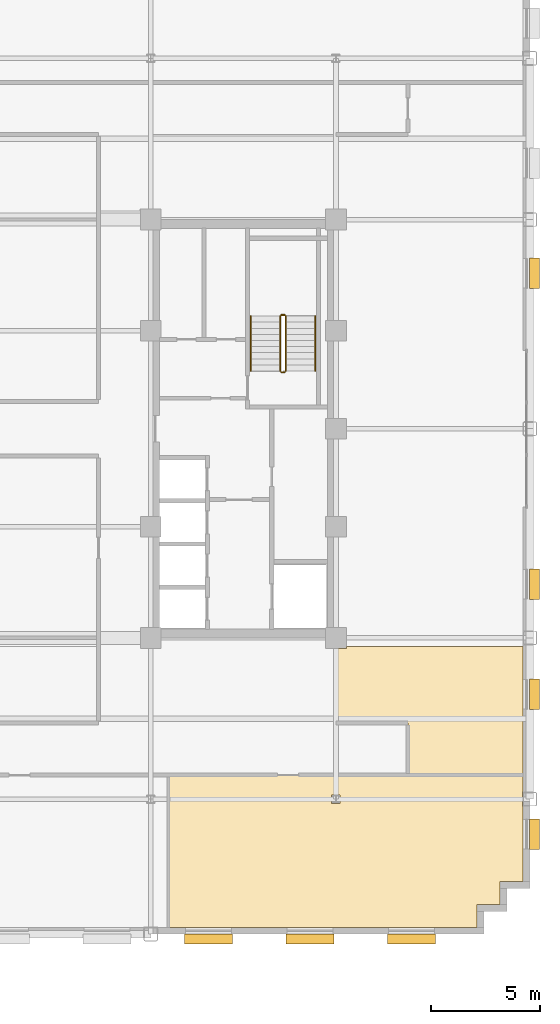
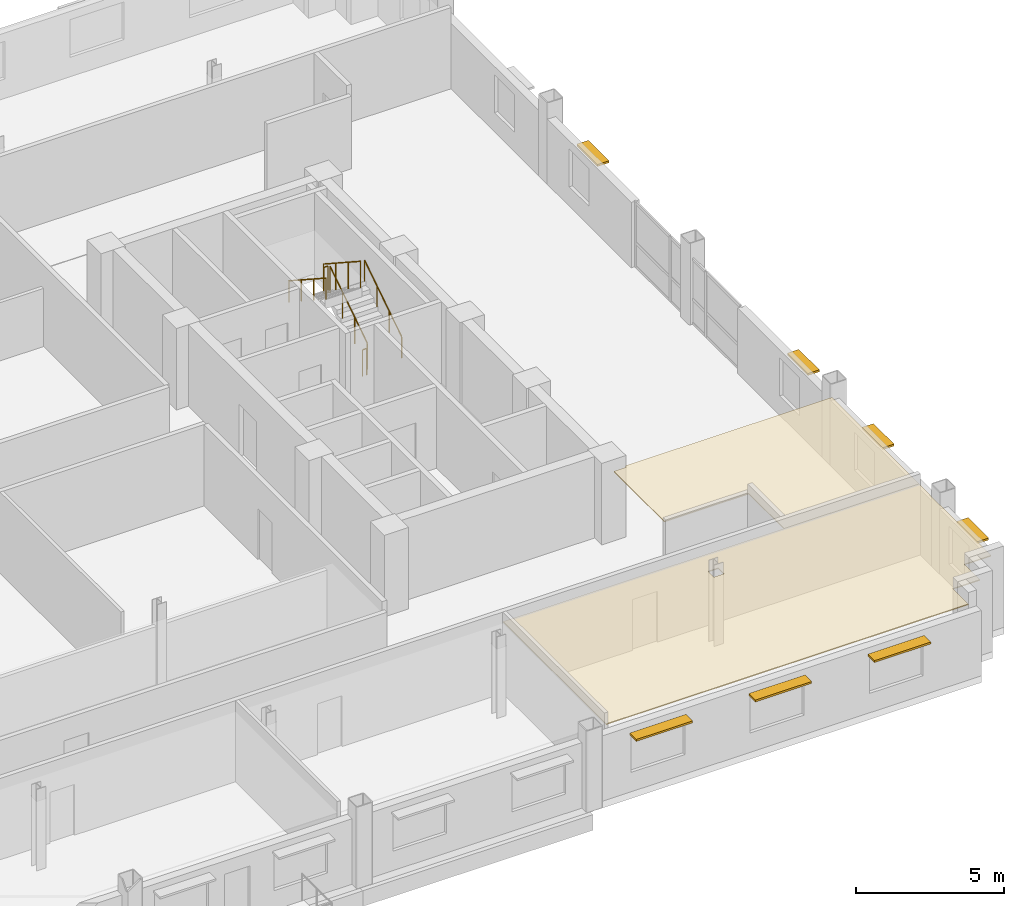
# One storey, part 14 of 15: 7 shading devices, 6 railings, 2 coverings.
"""IFC4 building model written with IfcOpenShell, lengths in metres."""

from ifc_helpers import new_model, si_unit, direction, frame, origin, origin_2d, place, context, subcontext, project, spatial, polyline, rectangle, circle, outline, extrude, source, transform, mapped, material, layer, layer_set, type_object, type_shapes, element, save


model = new_model("IFC4")

# Units and contexts
model_context = context("Model", 3, precision=1e-05, world=origin(), true_north=direction((0.0, 1.0)))
body_context = subcontext(model_context, "Body", "Model", "MODEL_VIEW")
ifc_project = project(units=[si_unit("LENGTHUNIT", "METRE"), si_unit("AREAUNIT", "SQUARE_METRE"), si_unit("VOLUMEUNIT", "CUBIC_METRE"), si_unit("PLANEANGLEUNIT", "RADIAN"), si_unit("MASSUNIT", "GRAM", prefix="KILO")], contexts=[model_context])

# Site, building, storey
site_placement = place(None, origin())
site = spatial("IfcSite", under=ifc_project, at=site_placement, CompositionType="ELEMENT")
building_placement = place(site_placement, origin())
building = spatial("IfcBuilding", under=site, at=building_placement, Name="Nuvemarco Arch Tower", CompositionType="ELEMENT")
storey_placement = place(building_placement, frame((0.0, 0.0, 123.85009765625)))
storey = spatial("IfcBuildingStorey", under=building, at=storey_placement, Name="L32", CompositionType="ELEMENT", Elevation=123.85009765625)

# Coverings
ifc_material_1 = material(Name="Mineral acoustic ceiling tile")
ifc_layer = layer(ifc_material_1, 0.0400390625, Name="COV-ACOUSTIC-CLG")
ifc_layer_set = layer_set([ifc_layer], Name="Mineral acoustic ceiling tile")
covering_type = type_object("IfcCoveringType", Name="COV-ACOUSTIC-CLG", PredefinedType="CEILING", material=ifc_layer_set)
covering_1_placement = place(storey_placement, frame((0.0, 0.0, 2.849853515625)))
element("IfcCovering", 1, at=covering_1_placement, inside=storey, type_object=covering_type, Name="L32 suspended acoustic ceiling 2", PredefinedType="CEILING", context=body_context, shape_type="SweptSolid", body=[
    extrude(outline(polyline([(17.5, -10.090087890625), (17.989990234375, -10.090087890625), (17.989990234375, -10.0), (26.080078125, -10.0), (26.080078125, -15.89990234375), (20.800048828125, -15.89990234375), (20.800048828125, -13.5), (17.5, -13.5), (17.5, -10.090087890625)])), origin(), (0.0, 0.0, 1.0), 0.0400390625),
])
covering_2_placement = place(storey_placement, frame((0.0, 0.0, 2.849853515625)))
element("IfcCovering", 2, at=covering_2_placement, inside=storey, type_object=covering_type, Name="L32 suspended acoustic ceiling 4", PredefinedType="CEILING", context=body_context, shape_type="SweptSolid", body=[
    extrude(outline(polyline([(23.97998046875, -22.8798828125), (9.81005859375, -22.8798828125), (9.81005859375, -15.89990234375), (20.800048828125, -15.89990234375), (26.080078125, -15.89990234375), (26.080078125, -16.659912109375), (26.06005859375, -16.659912109375), (26.06005859375, -17.340087890625), (26.080078125, -17.340087890625), (26.080078125, -20.780029296875), (25.030029296875, -20.780029296875), (25.030029296875, -21.830078125), (23.97998046875, -21.830078125), (23.97998046875, -22.8798828125)]), holes=[polyline([(17.695068359375, -17.195068359375), (17.695068359375, -16.804931640625), (17.304931640625, -16.804931640625), (17.304931640625, -17.195068359375), (17.695068359375, -17.195068359375)])]), origin(), (0.0, 0.0, 1.0), 0.0400390625),
])

# Railings
ifc_material_2 = material(Name="Brushed stainless steel handrail", Category="steel")
railing_type_1 = type_object("IfcRailingType", Name="RL-HANDRAIL-900", PredefinedType="HANDRAIL", material=ifc_material_2)
railing_1_placement = place(storey_placement, frame((16.550048828125, 2.64990234375, 0.182373046875)))
element("IfcRailing", 3, at=railing_1_placement, inside=storey, type_object=railing_type_1, Name="L32 ST-2 stair handrail 1", PredefinedType="HANDRAIL", context=body_context, shape_type="SweptSolid", body=[
    extrude(circle(Radius=0.02392578125, at=origin_2d()), frame((0.0, 0.0, 0.8759765625), z_axis=(0.0, 0.837749427056, 0.546054848405), x_axis=(-1.0, 0.0, 0.0)), (0.0, 0.0, 1.0), 3.008056640625),
    extrude(circle(Radius=0.02099609375, at=origin_2d()), origin(), (0.0, 0.0, 1.0), 0.851806640625),
    extrude(circle(Radius=0.02099609375, at=origin_2d()), frame((0.0, 0.840087890625, 0.547607421875)), (0.0, 0.0, 1.0), 0.851806640625),
    extrude(circle(Radius=0.02099609375, at=origin_2d()), frame((0.0, 1.679931640625, 1.094970703125)), (0.0, 0.0, 1.0), 0.851806640625),
    extrude(circle(Radius=0.02099609375, at=origin_2d()), frame((0.0, 2.52001953125, 1.642578125)), (0.0, 0.0, 1.0), 0.851806640625),
])
railing_2_placement = place(storey_placement, frame((13.590087890625, 5.169921875, 2.00732421875)))
element("IfcRailing", 4, at=railing_2_placement, inside=storey, type_object=railing_type_1, Name="L32 ST-2 stair handrail 2", PredefinedType="HANDRAIL", context=body_context, shape_type="SweptSolid", body=[
    extrude(circle(Radius=0.02392578125, at=origin_2d()), frame((0.0, 0.0, 0.8759765625), z_axis=(0.0, -0.837749427056, 0.546054848405), x_axis=(1.0, 0.0, 0.0)), (0.0, 0.0, 1.0), 3.008056640625),
    extrude(circle(Radius=0.02099609375, at=origin_2d()), origin(), (0.0, 0.0, 1.0), 0.851806640625),
    extrude(circle(Radius=0.02099609375, at=origin_2d()), frame((0.0, -0.840087890625, 0.547607421875)), (0.0, 0.0, 1.0), 0.851806640625),
    extrude(circle(Radius=0.02099609375, at=origin_2d()), frame((0.0, -1.679931640625, 1.094970703125)), (0.0, 0.0, 1.0), 0.851806640625),
    extrude(circle(Radius=0.02099609375, at=origin_2d()), frame((0.0, -2.52001953125, 1.642578125)), (0.0, 0.0, 1.0), 0.851806640625),
])
ifc_material_3 = material(Name="Painted balustrade steel S355", Category="steel")
railing_type_2 = type_object("IfcRailingType", Name="RL-STAIR-GUARD", PredefinedType="GUARDRAIL", material=ifc_material_3)
railing_3_placement = place(storey_placement, frame((15.199951171875, 2.64990234375, 0.182373046875)))
element("IfcRailing", 5, at=railing_3_placement, inside=storey, type_object=railing_type_2, Name="L32 ST-2 stair guard 1", PredefinedType="GUARDRAIL", context=body_context, shape_type="SweptSolid", body=[
    extrude(circle(Radius=0.02392578125, at=origin_2d()), frame((0.0, 0.0, 1.09619140625), z_axis=(0.0, 0.837749427056, 0.546054848405), x_axis=(-1.0, 0.0, 0.0)), (0.0, 0.0, 1.0), 3.008056640625),
    extrude(circle(Radius=0.02099609375, at=origin_2d()), origin(), (0.0, 0.0, 1.0), 1.072021484375),
    extrude(circle(Radius=0.02099609375, at=origin_2d()), frame((0.0, 0.840087890625, 0.547607421875)), (0.0, 0.0, 1.0), 1.072021484375),
    extrude(circle(Radius=0.02099609375, at=origin_2d()), frame((0.0, 1.679931640625, 1.094970703125)), (0.0, 0.0, 1.0), 1.072021484375),
    extrude(circle(Radius=0.02099609375, at=origin_2d()), frame((0.0, 2.52001953125, 1.642578125)), (0.0, 0.0, 1.0), 1.072021484375),
])
railing_4_placement = place(storey_placement, frame((15.14990234375, 5.219970703125, 1.824951171875)))
element("IfcRailing", 6, at=railing_4_placement, inside=storey, type_object=railing_type_2, Name="L32 ST-2 stair guard 2", PredefinedType="GUARDRAIL", context=body_context, shape_type="SweptSolid", body=[
    extrude(circle(Radius=0.02392578125, at=origin_2d()), frame((0.0, 0.0, 1.09619140625), z_axis=(-1.0, 0.0, 0.0), x_axis=(0.0, -1.0, 0.0)), (0.0, 0.0, 1.0), 0.159912109375),
    extrude(circle(Radius=0.02099609375, at=origin_2d()), origin(), (0.0, 0.0, 1.0), 1.072021484375),
    extrude(circle(Radius=0.02099609375, at=origin_2d()), frame((-0.159912109375, 0.0, 0.0)), (0.0, 0.0, 1.0), 1.072021484375),
])
railing_5_placement = place(storey_placement, frame((14.93994140625, 5.169921875, 2.00732421875)))
element("IfcRailing", 7, at=railing_5_placement, inside=storey, type_object=railing_type_2, Name="L32 ST-2 stair guard 3", PredefinedType="GUARDRAIL", context=body_context, shape_type="SweptSolid", body=[
    extrude(circle(Radius=0.02392578125, at=origin_2d()), frame((0.0, 0.0, 1.09619140625), z_axis=(0.0, -0.837749427056, 0.546054848405), x_axis=(1.0, 0.0, 0.0)), (0.0, 0.0, 1.0), 3.008056640625),
    extrude(circle(Radius=0.02099609375, at=origin_2d()), origin(), (0.0, 0.0, 1.0), 1.072021484375),
    extrude(circle(Radius=0.02099609375, at=origin_2d()), frame((0.0, -0.840087890625, 0.547607421875)), (0.0, 0.0, 1.0), 1.072021484375),
    extrude(circle(Radius=0.02099609375, at=origin_2d()), frame((0.0, -1.679931640625, 1.094970703125)), (0.0, 0.0, 1.0), 1.072021484375),
    extrude(circle(Radius=0.02099609375, at=origin_2d()), frame((0.0, -2.52001953125, 1.642578125)), (0.0, 0.0, 1.0), 1.072021484375),
])
railing_6_placement = place(storey_placement, frame((15.14990234375, 2.60009765625, 0.0)))
element("IfcRailing", 8, at=railing_6_placement, inside=storey, type_object=railing_type_2, Name="L32 ST-2 stair guard 4", PredefinedType="GUARDRAIL", context=body_context, shape_type="SweptSolid", body=[
    extrude(circle(Radius=0.02392578125, at=origin_2d()), frame((0.0, 0.0, 1.09619140625), z_axis=(-1.0, 0.0, 0.0), x_axis=(0.0, -1.0, 0.0)), (0.0, 0.0, 1.0), 0.159912109375),
    extrude(circle(Radius=0.02099609375, at=origin_2d()), origin(), (0.0, 0.0, 1.0), 1.072021484375),
    extrude(circle(Radius=0.02099609375, at=origin_2d()), frame((-0.159912109375, 0.0, 0.0)), (0.0, 0.0, 1.0), 1.072021484375),
])

# Shading devices
ifc_material_4 = material(Name="Anodised aluminium 6063-T6", Category="aluminium")
shading_device_type_1 = type_object("IfcShadingDeviceType", Name="SHD-BRISE-SOLEIL", PredefinedType="USERDEFINED", material=ifc_material_4)
shared_shape_1 = source(origin(), body_context, "Body", "SweptSolid", [
    extrude(rectangle(XDim=2.199951171875, YDim=0.449951171875, at=origin_2d()), origin(), (0.0, 0.0, 1.0), 0.080078125),
])
type_shapes(shading_device_type_1, [shared_shape_1])
for number, where, z_axis, x_axis, name in (
    (9, (11.64990234375, -23.4150390625, 2.36474609375), (0.0, 0.0, 1.0), (1.0, 0.0, 0.0), "L32 horizontal brise-soleil sunshade"),
    (10, (16.31005859375, -23.4150390625, 2.36474609375), (0.0, 0.0, 1.0), (1.0, 0.0, 0.0), "L32 horizontal brise-soleil sunshade"),
    (11, (20.969970703125, -23.4150390625, 2.36474609375), (0.0, 0.0, 1.0), (1.0, 0.0, 0.0), "L32 horizontal brise-soleil sunshade"),
):
    element("IfcShadingDevice", number, at=place(storey_placement, frame(where, z_axis=z_axis, x_axis=x_axis)), inside=storey, type_object=shading_device_type_1, Name=name, ObjectType="SUNSHADE", PredefinedType="USERDEFINED", context=body_context, shape_type="MappedRepresentation", body=[
        mapped(shared_shape_1, transform((0.0, 0.0, 0.0), scale=1.0)),
    ])
shading_device_type_2 = type_object("IfcShadingDeviceType", Name="SHD-BRISE-NARROW", PredefinedType="USERDEFINED", material=ifc_material_4)
shared_shape_2 = source(origin(), body_context, "Body", "SweptSolid", [
    extrude(rectangle(XDim=1.39990234375, YDim=0.449951171875, at=origin_2d()), origin(), (0.0, 0.0, 1.0), 0.080078125),
])
type_shapes(shading_device_type_2, [shared_shape_2])
for number, where, z_axis, x_axis, name in (
    (12, (26.614990234375, -18.603271484375, 2.36474609375), (0.0, 0.0, 1.0), (0.0, 1.0, 0.0), "L32 horizontal brise-soleil sunshade"),
    (13, (26.614990234375, -12.19189453125, 2.36474609375), (0.0, 0.0, 1.0), (0.0, 1.0, 0.0), "L32 horizontal brise-soleil sunshade"),
    (14, (26.614990234375, -7.130615234375, 2.36474609375), (0.0, 0.0, 1.0), (0.0, 1.0, 0.0), "L32 horizontal brise-soleil sunshade"),
    (15, (26.614990234375, 7.130615234375, 2.36474609375), (0.0, 0.0, 1.0), (0.0, 1.0, 0.0), "L32 horizontal brise-soleil sunshade"),
):
    element("IfcShadingDevice", number, at=place(storey_placement, frame(where, z_axis=z_axis, x_axis=x_axis)), inside=storey, type_object=shading_device_type_2, Name=name, ObjectType="SUNSHADE", PredefinedType="USERDEFINED", context=body_context, shape_type="MappedRepresentation", body=[
        mapped(shared_shape_2, transform((0.0, 0.0, 0.0), scale=1.0)),
    ])

save(model, "model.ifc")
